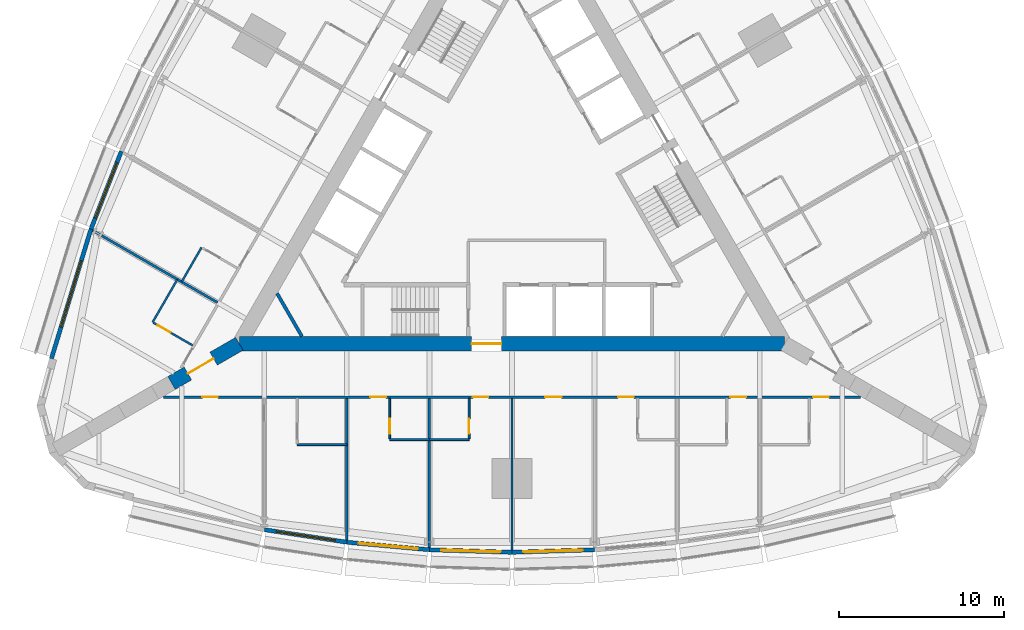
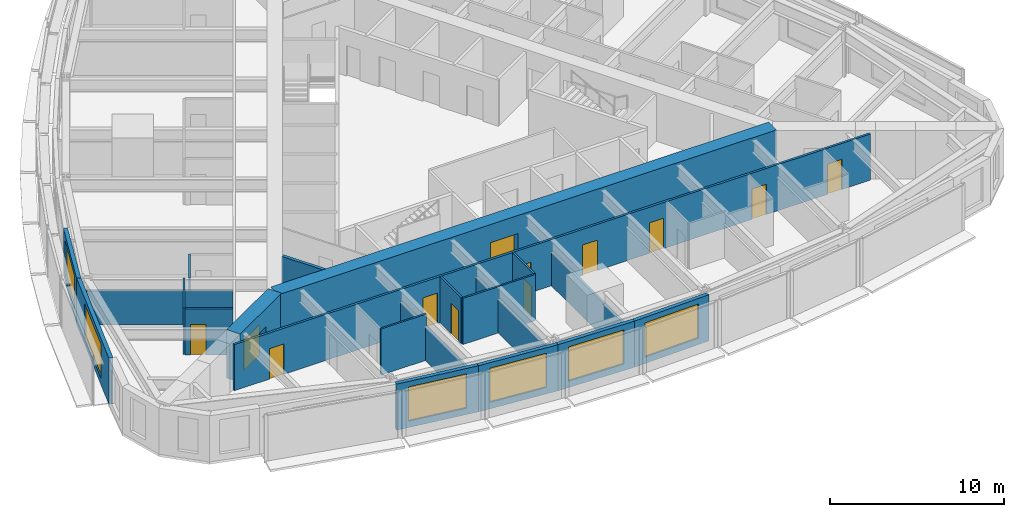
# One storey, part 8 of 14: 22 walls, 12 doors, 6 windows, 18 openings.
"""IFC4 building model written with IfcOpenShell, lengths in metres."""

import ifcopenshell
import ifcopenshell.guid

model = None  # the IFC model being written
_history = None  # IfcOwnerHistory: only IFC2X3 demands one
_inside = {}  # id of a spatial element -> (the spatial element, [elements in it])
_under = {}  # id of a project, library or spatial element -> (it, [spatial elements below it])
_declared = {}  # id of a project -> (the project, [libraries it declares])
_typed = {}  # id of a type object -> (the type object, [elements of that type])
_made_of = {}  # id of a material, layer set ... -> (it, [elements and type objects made of it])


def new_model(schema):
    """Start an empty IFC model of exactly this schema.

    Asked for "IFC4X3", IfcOpenShell would pick the latest addendum, in which some entities
    have other attributes; the version numbers below select the first issue.
    IFC2X3 requires an IfcOwnerHistory on every rooted entity: one is made here for all.
    """
    global model, _history
    if schema == "IFC4X3":
        model = ifcopenshell.file(schema_version=(4, 3, 0, 0))
    else:
        model = ifcopenshell.file(schema=schema)
    _inside.clear()
    _under.clear()
    _declared.clear()
    _typed.clear()
    _made_of.clear()
    _history = None
    if model.schema == "IFC2X3":
        org = make("IfcOrganization", Name="unknown")
        user = make(
            "IfcPersonAndOrganization",
            ThePerson=make("IfcPerson", FamilyName="unknown"),
            TheOrganization=org,
        )
        app = make(
            "IfcApplication",
            ApplicationDeveloper=org,
            Version="unknown",
            ApplicationFullName="unknown",
            ApplicationIdentifier="unknown",
        )
        _history = make(
            "IfcOwnerHistory",
            OwningUser=user,
            OwningApplication=app,
            ChangeAction="ADDED",
            CreationDate=0,
        )
    return model


def make(cls, **values):
    """One entity of the class cls with the attributes given. An attribute that is None is left unset."""
    return model.create_entity(
        cls, **{name: value for name, value in values.items() if value is not None}
    )


def rooted(cls, **values):
    """An entity with a GlobalId (a new one), such as an element, a storey or a relation."""
    return make(cls, GlobalId=ifcopenshell.guid.new(), OwnerHistory=_history, **values)


def si_unit(unit_type, name, prefix=None):
    """IfcSIUnit, for example si_unit("LENGTHUNIT", "METRE", prefix="MILLI")."""
    return make("IfcSIUnit", UnitType=unit_type, Prefix=prefix, Name=name)


def assignment(units):
    """IfcUnitAssignment: the units of a project."""
    return None if units is None else make("IfcUnitAssignment", Units=units)


def point(xyz):
    """IfcCartesianPoint."""
    return None if xyz is None else make("IfcCartesianPoint", Coordinates=xyz)


def direction(xyz):
    """IfcDirection."""
    return None if xyz is None else make("IfcDirection", DirectionRatios=xyz)


def frame(location, z_axis=None, x_axis=None):
    """IfcAxis2Placement3D, a coordinate frame: its origin and axes. An axis left out is left unset."""
    return make(
        "IfcAxis2Placement3D",
        Location=point(location),
        Axis=direction(z_axis),
        RefDirection=direction(x_axis),
    )


def frame_2d(location, x_axis=None):
    """IfcAxis2Placement2D, a coordinate frame in the plane: its origin and x axis."""
    return make(
        "IfcAxis2Placement2D", Location=point(location), RefDirection=direction(x_axis)
    )


def origin():
    """The frame at (0, 0, 0) with its axes left unset."""
    return frame((0.0, 0.0, 0.0))


def place(relative_to, where):
    """IfcLocalPlacement: puts the frame where relative to a parent placement (None: the world)."""
    return make(
        "IfcLocalPlacement", PlacementRelTo=relative_to, RelativePlacement=where
    )


def context(
    kind, dimensions, precision=None, world=None, true_north=None, identifier=None
):
    """IfcGeometricRepresentationContext, for example the 3D "Model" context."""
    return make(
        "IfcGeometricRepresentationContext",
        ContextIdentifier=identifier,
        ContextType=kind,
        CoordinateSpaceDimension=dimensions,
        Precision=precision,
        WorldCoordinateSystem=world,
        TrueNorth=true_north,
    )


def subcontext(parent, identifier, kind, view, scale=None):
    """IfcGeometricRepresentationSubContext, for example "Body" below "Model"."""
    return make(
        "IfcGeometricRepresentationSubContext",
        ContextIdentifier=identifier,
        ContextType=kind,
        ParentContext=parent,
        TargetScale=scale,
        TargetView=view,
    )


def project(units=None, contexts=None):
    """IfcProject with its units and contexts."""
    return rooted(
        "IfcProject",
        Name="project",
        RepresentationContexts=contexts,
        UnitsInContext=assignment(units),
    )


def spatial(cls, under=None, at=None, **own):
    """A site, building, storey or space (cls), placed at a placement, below another one or the project."""
    s = rooted(cls, ObjectPlacement=at, **own)
    if under is not None:
        _under.setdefault(under.id(), (under, []))[1].append(s)
    return s


def profile(cls, at=None, kind="AREA", **sizes):
    """A parametric profile (cls). Its sizes go by their IFC names, for example OverallWidth=200.0."""
    return make(cls, ProfileType=kind, Position=at, **sizes)


def rectangle(**sizes):
    """IfcRectangleProfileDef."""
    return profile("IfcRectangleProfileDef", **sizes)


def extrude(swept, where, along, depth):
    """IfcExtrudedAreaSolid: the profile swept, set in the frame where, extruded along a direction by depth."""
    return make(
        "IfcExtrudedAreaSolid",
        SweptArea=swept,
        Position=where,
        ExtrudedDirection=direction(along),
        Depth=depth,
    )


def shape(context_of_items, identifier, shape_type, items):
    """IfcShapeRepresentation: the items that make up one representation, for example the "Body"."""
    return make(
        "IfcShapeRepresentation",
        ContextOfItems=context_of_items,
        RepresentationIdentifier=identifier,
        RepresentationType=shape_type,
        Items=items,
    )


def material(Name=None, Category=None):
    """IfcMaterial."""
    return make("IfcMaterial", Name=Name, Category=Category)


def layer(
    of_material, thickness, ventilated=None, Name=None, Category=None, Priority=None
):
    """IfcMaterialLayer: one layer of a wall or slab, of a material (None: an air gap)."""
    return make(
        "IfcMaterialLayer",
        Material=of_material,
        LayerThickness=thickness,
        IsVentilated=ventilated,
        Name=Name,
        Category=Category,
        Priority=Priority,
    )


def layer_set(layers, Name=None):
    """IfcMaterialLayerSet."""
    return make("IfcMaterialLayerSet", MaterialLayers=layers, LayerSetName=Name)


def made_of(thing, what):
    """Note that an element or type object is made of a material, layer set ...; save() writes the relation."""
    if what is not None:
        _made_of.setdefault(what.id(), (what, []))[1].append(thing)
    return thing


def type_object(cls, material=None, **own):
    """A type object (cls), such as IfcWallType, which elements share."""
    return made_of(rooted(cls, **own), material)


def element(
    cls,
    number,
    at=None,
    inside=None,
    cuts=None,
    type_object=None,
    material=None,
    context=None,
    identifier="Body",
    shape_type=None,
    held_by="IfcProductDefinitionShape",
    body=None,
    shapes=None,
    **own,
):
    """One element of the class cls, such as IfcWall. Its Tag is "e" and its number.

    at: its placement. inside: the storey or other place that contains it. cuts: it is an
    opening in that element (IfcRelVoidsElement). A single representation is given by context,
    identifier, shape_type and body (its items); several are given by shapes. held_by: the class
    of the entity that holds the representations. save() writes the other relations.
    """
    e = rooted(cls, Tag="e%d" % number, ObjectPlacement=at, **own)
    if body is not None:
        shapes = [shape(context, identifier, shape_type, body)]
    if shapes is not None:
        e.Representation = make(held_by, Representations=shapes)
    if inside is not None:
        _inside.setdefault(inside.id(), (inside, []))[1].append(e)
    if cuts is not None:
        rooted(
            "IfcRelVoidsElement", RelatingBuildingElement=cuts, RelatedOpeningElement=e
        )
    if type_object is not None:
        _typed.setdefault(type_object.id(), (type_object, []))[1].append(e)
    return made_of(e, material)


def fill(opening, filler):
    """IfcRelFillsElement: the door or window that sits in an opening."""
    return rooted(
        "IfcRelFillsElement",
        RelatingOpeningElement=opening,
        RelatedBuildingElement=filler,
    )


def aggregate(whole, parts):
    """IfcRelAggregates: a whole, such as a stair, and the parts it consists of."""
    return rooted("IfcRelAggregates", RelatingObject=whole, RelatedObjects=parts)


def save(model, path):
    """Write the relations noted so far, then the file.

    IfcRelAggregates (storeys below a building ...), IfcRelContainedInSpatialStructure (elements
    in a storey), IfcRelDefinesByType, IfcRelAssociatesMaterial and IfcRelDeclares: one each for
    every whole, place, type object, material and project.
    """
    for whole, parts in _under.values():
        aggregate(whole, parts)
    for where, things in _inside.values():
        rooted(
            "IfcRelContainedInSpatialStructure",
            RelatedElements=things,
            RelatingStructure=where,
        )
    for kind, things in _typed.values():
        rooted("IfcRelDefinesByType", RelatedObjects=things, RelatingType=kind)
    for what, things in _made_of.values():
        rooted("IfcRelAssociatesMaterial", RelatedObjects=things, RelatingMaterial=what)
    for by, libraries in _declared.values():
        rooted("IfcRelDeclares", RelatingContext=by, RelatedDefinitions=libraries)
    model.write(path)


model = new_model("IFC4")

# Units and contexts
model_context = context("Model", 3, precision=1e-05, world=origin(), true_north=direction((0.0, 1.0)))
body_context = subcontext(model_context, "Body", "Model", "MODEL_VIEW")
ifc_project = project(units=[si_unit("LENGTHUNIT", "METRE"), si_unit("AREAUNIT", "SQUARE_METRE"), si_unit("VOLUMEUNIT", "CUBIC_METRE"), si_unit("PLANEANGLEUNIT", "RADIAN"), si_unit("MASSUNIT", "GRAM", prefix="KILO")], contexts=[model_context])

# Site, building, storey
site_placement = place(None, origin())
site = spatial("IfcSite", under=ifc_project, at=site_placement, CompositionType="ELEMENT")
building_placement = place(site_placement, origin())
building = spatial("IfcBuilding", under=site, at=building_placement, Name="Trikona Tower", CompositionType="ELEMENT")
storey_placement = place(building_placement, frame((0.0, 0.0, 35.300048828125)))
storey = spatial("IfcBuildingStorey", under=building, at=storey_placement, Name="L07", CompositionType="ELEMENT", Elevation=35.300048828125)

# Walls
ifc_material_1 = material(Name="Metal stud and cement board", Category="gypsum")
ifc_layer_1 = layer(ifc_material_1, 0.1201171875)
ifc_layer_set_1 = layer_set([ifc_layer_1], Name="Bathroom wall 120")
wall_type_1 = type_object("IfcWallType", Name="Bathroom wall 120", PredefinedType="PLUMBINGWALL", material=ifc_layer_set_1)
wall_1_placement = place(storey_placement, frame((-13.0, -15.626220703125, 0.0), z_axis=(0.0, 0.0, 1.0), x_axis=(1.0, 0.0, 0.0)))
element("IfcWall", 1, at=wall_1_placement, inside=storey, type_object=wall_type_1, Name="Bathroom wall 0701.1", PredefinedType="PLUMBINGWALL", context=body_context, shape_type="SweptSolid", body=[
    extrude(rectangle(XDim=3.0, YDim=0.1201171875, at=frame_2d((1.5, 0.0))), origin(), (0.0, 0.0, 1.0), 3.23486328125),
])
wall_2_placement = place(storey_placement, frame((-7.39990234375, -15.326416015625, 0.0), z_axis=(0.0, 0.0, 1.0), x_axis=(1.0, 0.0, 0.0)))
element("IfcWall", 2, at=wall_2_placement, inside=storey, type_object=wall_type_1, Name="Bathroom wall 0702", PredefinedType="PLUMBINGWALL", context=body_context, shape_type="SweptSolid", body=[
    extrude(rectangle(XDim=2.39990234375, YDim=0.1201171875, at=frame_2d((1.199951171875, 0.0))), origin(), (0.0, 0.0, 1.0), 3.23486328125),
])

# Wall, opening, door
wall_3_placement = place(storey_placement, frame((-7.39990234375, -12.826416015625, 0.0), z_axis=(0.0, 0.0, 1.0), x_axis=(0.0, -1.0, 0.0)))
wall_3 = element("IfcWall", 3, at=wall_3_placement, inside=storey, type_object=wall_type_1, Name="Bathroom wall 0702", PredefinedType="PLUMBINGWALL", context=body_context, shape_type="SweptSolid", body=[
    extrude(rectangle(XDim=2.43994140625, YDim=0.1201171875, at=frame_2d((1.219970703125, 0.0))), origin(), (0.0, 0.0, 1.0), 3.23486328125),
])
opening_1_placement = place(wall_3_placement, frame((1.25, 0.0, 0.0)))
opening_1 = element("IfcOpeningElement", 4, at=opening_1_placement, cuts=wall_3, Name="Opening D2", PredefinedType="OPENING", context=body_context, shape_type="SweptSolid", body=[
    extrude(rectangle(XDim=0.89990234375, YDim=2.1298828125, at=frame_2d((0.449951171875, 1.06494140625))), frame((0.0, 0.070068359375, 0.0), z_axis=(0.0, -1.0, 0.0), x_axis=(1.0, 0.0, 0.0)), (0.0, 0.0, 1.0), 0.14013671875),
])
ifc_material_2 = material(Name="Steel door frame with solid-core timber leaf", Category="steel")
door_type_1 = type_object("IfcDoorType", Name="Bathroom door 900x2130", OperationType="SLIDING_TO_LEFT", PredefinedType="DOOR", material=ifc_material_2)
door_1_placement = place(opening_1_placement, origin())
door_1 = element("IfcDoor", 5, at=door_1_placement, inside=storey, type_object=door_type_1, Name="Bathroom door 0702", OperationType="SLIDING_TO_LEFT", OverallHeight=2.1298828125, OverallWidth=0.89990234375, PredefinedType="DOOR", context=body_context, shape_type="SweptSolid", body=[
    extrude(rectangle(XDim=0.89990234375, YDim=2.1298828125, at=frame_2d((0.449951171875, 1.06494140625))), frame((0.0, 0.02490234375, 0.0), z_axis=(0.0, -1.0, 0.0), x_axis=(1.0, 0.0, 0.0)), (0.0, 0.0, 1.0), 0.050048828125),
])
fill(opening_1, door_1)

# Wall
wall_4_placement = place(storey_placement, frame((-5.0, -15.326416015625, 0.0), z_axis=(0.0, 0.0, 1.0), x_axis=(1.0, 0.0, 0.0)))
element("IfcWall", 6, at=wall_4_placement, inside=storey, type_object=wall_type_1, Name="Bathroom wall 0703", PredefinedType="PLUMBINGWALL", context=body_context, shape_type="SweptSolid", body=[
    extrude(rectangle(XDim=2.39990234375, YDim=0.1201171875, at=frame_2d((1.199951171875, 0.0))), origin(), (0.0, 0.0, 1.0), 3.23486328125),
])

# Wall, opening, door
wall_5_placement = place(storey_placement, frame((-2.60009765625, -12.826416015625, 0.0), z_axis=(0.0, 0.0, 1.0), x_axis=(0.0, -1.0, 0.0)))
wall_5 = element("IfcWall", 7, at=wall_5_placement, inside=storey, type_object=wall_type_1, Name="Bathroom wall 0703", PredefinedType="PLUMBINGWALL", context=body_context, shape_type="SweptSolid", body=[
    extrude(rectangle(XDim=2.43994140625, YDim=0.1201171875, at=frame_2d((1.219970703125, 0.0))), origin(), (0.0, 0.0, 1.0), 3.23486328125),
])
opening_2_placement = place(wall_5_placement, frame((1.25, 0.0, 0.0)))
opening_2 = element("IfcOpeningElement", 8, at=opening_2_placement, cuts=wall_5, Name="Opening D2", PredefinedType="OPENING", context=body_context, shape_type="SweptSolid", body=[
    extrude(rectangle(XDim=0.89990234375, YDim=2.1298828125, at=frame_2d((0.449951171875, 1.06494140625))), frame((0.0, 0.070068359375, 0.0), z_axis=(0.0, -1.0, 0.0), x_axis=(1.0, 0.0, 0.0)), (0.0, 0.0, 1.0), 0.14013671875),
])
door_2_placement = place(opening_2_placement, origin())
door_2 = element("IfcDoor", 9, at=door_2_placement, inside=storey, type_object=door_type_1, Name="Bathroom door 0703", OperationType="SLIDING_TO_LEFT", OverallHeight=2.1298828125, OverallWidth=0.89990234375, PredefinedType="DOOR", context=body_context, shape_type="SweptSolid", body=[
    extrude(rectangle(XDim=0.89990234375, YDim=2.1298828125, at=frame_2d((0.449951171875, 1.06494140625))), frame((0.0, 0.02490234375, 0.0), z_axis=(0.0, -1.0, 0.0), x_axis=(1.0, 0.0, 0.0)), (0.0, 0.0, 1.0), 0.050048828125),
])
fill(opening_2, door_2)

# Walls
wall_6_placement = place(storey_placement, frame((-18.79345703125, -3.69873046875, 0.0), z_axis=(0.0, 0.0, 1.0), x_axis=(-0.500001309137, -0.866024647952, 0.0)))
element("IfcWall", 10, at=wall_6_placement, inside=storey, type_object=wall_type_1, Name="Bathroom wall 0717", PredefinedType="PLUMBINGWALL", context=body_context, shape_type="SweptSolid", body=[
    extrude(rectangle(XDim=2.39990234375, YDim=0.1201171875, at=frame_2d((1.199951171875, 0.0))), origin(), (0.0, 0.0, 1.0), 3.23486328125),
])
wall_7_placement = place(storey_placement, frame((-20.25341796875, -5.627197265625, 0.0), z_axis=(0.0, 0.0, 1.0), x_axis=(-0.499990139034, -0.866031096941, 0.0)))
element("IfcWall", 11, at=wall_7_placement, inside=storey, type_object=wall_type_1, Name="Bathroom wall 0718", PredefinedType="PLUMBINGWALL", context=body_context, shape_type="SweptSolid", body=[
    extrude(rectangle(XDim=3.0, YDim=0.1201171875, at=frame_2d((1.5, 0.0))), origin(), (0.0, 0.0, 1.0), 3.23486328125),
])

# Wall, opening, door
wall_8_placement = place(storey_placement, frame((-19.32861328125, -9.625244140625, 0.0), z_axis=(0.0, 0.0, 1.0), x_axis=(-0.866035715982, 0.499982138324, 0.0)))
wall_8 = element("IfcWall", 12, at=wall_8_placement, inside=storey, type_object=wall_type_1, Name="Bathroom wall 0718", PredefinedType="PLUMBINGWALL", context=body_context, shape_type="SweptSolid", body=[
    extrude(rectangle(XDim=2.73974609375, YDim=0.1201171875, at=frame_2d((1.369873046875, 0.0))), origin(), (0.0, 0.0, 1.0), 3.23486328125),
])
opening_3_placement = place(wall_8_placement, frame((1.550048828125, 0.0, 0.0)))
opening_3 = element("IfcOpeningElement", 13, at=opening_3_placement, cuts=wall_8, Name="Opening D2", PredefinedType="OPENING", context=body_context, shape_type="SweptSolid", body=[
    extrude(rectangle(XDim=0.89990234375, YDim=2.1298828125, at=frame_2d((0.449951171875, 1.06494140625))), frame((0.0, 0.070068359375, 0.0), z_axis=(0.0, -1.0, 0.0), x_axis=(1.0, 0.0, 0.0)), (0.0, 0.0, 1.0), 0.14013671875),
])
door_3_placement = place(opening_3_placement, origin())
door_3 = element("IfcDoor", 14, at=door_3_placement, inside=storey, type_object=door_type_1, Name="Bathroom door 0718", OperationType="SLIDING_TO_LEFT", OverallHeight=2.1298828125, OverallWidth=0.89990234375, PredefinedType="DOOR", context=body_context, shape_type="SweptSolid", body=[
    extrude(rectangle(XDim=0.89990234375, YDim=2.1298828125, at=frame_2d((0.449951171875, 1.06494140625))), frame((0.0, 0.02490234375, 0.0), z_axis=(0.0, -1.0, 0.0), x_axis=(1.0, 0.0, 0.0)), (0.0, 0.0, 1.0), 0.050048828125),
])
fill(opening_3, door_3)

ifc_material_3 = material(Name="Concrete f'c 10000 psi", Category="concrete")
ifc_layer_2 = layer(ifc_material_3, 0.89990234375)
ifc_layer_set_2 = layer_set([ifc_layer_2], Name="Buttress wall 900")
wall_type_2 = type_object("IfcWallType", Name="Buttress wall 900", PredefinedType="SHEAR", material=ifc_layer_set_2)
wall_9_placement = place(storey_placement, frame((-16.5, -9.5263671875, 0.0), z_axis=(0.0, 0.0, 1.0), x_axis=(-0.866031398331, -0.499989616998, 0.0)))
wall_9 = element("IfcWall", 15, at=wall_9_placement, inside=storey, type_object=wall_type_2, Name="Buttress wall 3", PredefinedType="SHEAR", context=body_context, shape_type="SweptSolid", body=[
    extrude(rectangle(XDim=4.74609375, YDim=0.89990234375, at=frame_2d((2.373046875, 0.0))), origin(), (0.0, 0.0, 1.0), 3.39990234375),
])
opening_4_placement = place(wall_9_placement, frame((1.800048828125, 0.0, 0.0)))
opening_4 = element("IfcOpeningElement", 16, at=opening_4_placement, cuts=wall_9, Name="Opening D10", PredefinedType="OPENING", context=body_context, shape_type="SweptSolid", body=[
    extrude(rectangle(XDim=1.800048828125, YDim=2.1298828125, at=frame_2d((0.89990234375, 1.06494140625))), frame((0.0, 0.4599609375, 0.0), z_axis=(0.0, -1.0, 0.0), x_axis=(1.0, 0.0, 0.0)), (0.0, 0.0, 1.0), 0.919921875),
])
ifc_material_4 = material(Name="Hollow metal door and frame", Category="steel")
door_type_2 = type_object("IfcDoorType", Name="Cross-corridor door pair 1800x2130", OperationType="DOUBLE_DOOR_DOUBLE_SWING", PredefinedType="DOOR", material=ifc_material_4)
door_4_placement = place(opening_4_placement, origin())
door_4 = element("IfcDoor", 17, at=door_4_placement, inside=storey, type_object=door_type_2, Name="Cross-corridor door 3", OperationType="DOUBLE_DOOR_DOUBLE_SWING", OverallHeight=2.1298828125, OverallWidth=1.800048828125, PredefinedType="DOOR", context=body_context, shape_type="SweptSolid", body=[
    extrude(rectangle(XDim=1.800048828125, YDim=2.1298828125, at=frame_2d((0.89990234375, 1.06494140625))), frame((0.0, 0.02490234375, 0.0), z_axis=(0.0, -1.0, 0.0), x_axis=(1.0, 0.0, 0.0)), (0.0, 0.0, 1.0), 0.050048828125),
])
fill(opening_4, door_4)

ifc_material_5 = material(Name="Concrete f'c 10000 psi", Category="concrete")
ifc_layer_3 = layer(ifc_material_5, 0.89990234375)
ifc_layer_set_3 = layer_set([ifc_layer_3], Name="Core wall 900")
wall_type_3 = type_object("IfcWallType", Name="Core wall 900", PredefinedType="SHEAR", material=ifc_layer_set_3)
wall_10_placement = place(storey_placement, frame((-16.5, -9.5263671875, 0.0), z_axis=(0.0, 0.0, 1.0), x_axis=(1.0, 0.0, 0.0)))
wall_10 = element("IfcWall", 18, at=wall_10_placement, inside=storey, type_object=wall_type_3, Name="Core wall A", PredefinedType="SHEAR", context=body_context, shape_type="SweptSolid", body=[
    extrude(rectangle(XDim=33.0, YDim=0.89990234375, at=frame_2d((16.5, 0.0))), origin(), (0.0, 0.0, 1.0), 3.39990234375),
])
opening_5_placement = place(wall_10_placement, frame((14.050048828125, 0.0, 0.0)))
opening_5 = element("IfcOpeningElement", 19, at=opening_5_placement, cuts=wall_10, Name="Opening D6", PredefinedType="OPENING", context=body_context, shape_type="SweptSolid", body=[
    extrude(rectangle(XDim=1.800048828125, YDim=2.1298828125, at=frame_2d((0.89990234375, 1.06494140625))), frame((0.0, 0.4599609375, 0.0), z_axis=(0.0, -1.0, 0.0), x_axis=(1.0, 0.0, 0.0)), (0.0, 0.0, 1.0), 0.919921875),
])
ifc_material_6 = material(Name="Hollow metal door and frame", Category="steel")
door_type_3 = type_object("IfcDoorType", Name="Lobby door pair 1800x2130", OperationType="DOUBLE_DOOR_SINGLE_SWING", PredefinedType="DOOR", material=ifc_material_6)
door_5_placement = place(opening_5_placement, origin())
door_5 = element("IfcDoor", 20, at=door_5_placement, inside=storey, type_object=door_type_3, Name="Fire service lift lobby door", OperationType="DOUBLE_DOOR_SINGLE_SWING", OverallHeight=2.1298828125, OverallWidth=1.800048828125, PredefinedType="DOOR", context=body_context, shape_type="SweptSolid", body=[
    extrude(rectangle(XDim=1.800048828125, YDim=2.1298828125, at=frame_2d((0.89990234375, 1.06494140625))), frame((0.0, 0.02490234375, 0.0), z_axis=(0.0, -1.0, 0.0), x_axis=(1.0, 0.0, 0.0)), (0.0, 0.0, 1.0), 0.050048828125),
])
fill(opening_5, door_5)

# Wall, openings, doors
ifc_material_7 = material(Name="Metal stud and gypsum board, 1-hour", Category="gypsum")
ifc_layer_4 = layer(ifc_material_7, 0.14990234375)
ifc_layer_set_4 = layer_set([ifc_layer_4], Name="Corridor wall 150")
wall_type_4 = type_object("IfcWallType", Name="Corridor wall 150", PredefinedType="PARTITIONING", material=ifc_layer_set_4)
wall_11_placement = place(storey_placement, frame((-21.0859375, -12.751220703125, 0.0), z_axis=(0.0, 0.0, 1.0), x_axis=(1.0, 0.0, 0.0)))
wall_11 = element("IfcWall", 21, at=wall_11_placement, inside=storey, type_object=wall_type_4, Name="Corridor wall L07-1", PredefinedType="PARTITIONING", context=body_context, shape_type="SweptSolid", body=[
    extrude(rectangle(XDim=42.171875, YDim=0.14990234375, at=frame_2d((21.0859375, 0.0))), origin(), (0.0, 0.0, 1.0), 3.23486328125),
])
opening_6_placement = place(wall_11_placement, frame((2.337646484375, 0.0, 0.0)))
opening_6 = element("IfcOpeningElement", 22, at=opening_6_placement, cuts=wall_11, Name="Opening D1", PredefinedType="OPENING", context=body_context, shape_type="SweptSolid", body=[
    extrude(rectangle(XDim=0.949951171875, YDim=2.1298828125, at=frame_2d((0.47509765625, 1.06494140625))), frame((0.0, 0.0849609375, 0.0), z_axis=(0.0, -1.0, 0.0), x_axis=(1.0, 0.0, 0.0)), (0.0, 0.0, 1.0), 0.169921875),
])
opening_7_placement = place(wall_11_placement, frame((12.510986328125, 0.0, 0.0)))
opening_7 = element("IfcOpeningElement", 23, at=opening_7_placement, cuts=wall_11, Name="Opening D1", PredefinedType="OPENING", context=body_context, shape_type="SweptSolid", body=[
    extrude(rectangle(XDim=0.949951171875, YDim=2.1298828125, at=frame_2d((0.47509765625, 1.06494140625))), frame((0.0, 0.0849609375, 0.0), z_axis=(0.0, -1.0, 0.0), x_axis=(1.0, 0.0, 0.0)), (0.0, 0.0, 1.0), 0.169921875),
])
opening_8_placement = place(wall_11_placement, frame((18.7109375, 0.0, 0.0)))
opening_8 = element("IfcOpeningElement", 24, at=opening_8_placement, cuts=wall_11, Name="Opening D1", PredefinedType="OPENING", context=body_context, shape_type="SweptSolid", body=[
    extrude(rectangle(XDim=0.949951171875, YDim=2.1298828125, at=frame_2d((0.47509765625, 1.06494140625))), frame((0.0, 0.0849609375, 0.0), z_axis=(0.0, -1.0, 0.0), x_axis=(1.0, 0.0, 0.0)), (0.0, 0.0, 1.0), 0.169921875),
])
opening_9_placement = place(wall_11_placement, frame((23.0859375, 0.0, 0.0)))
opening_9 = element("IfcOpeningElement", 25, at=opening_9_placement, cuts=wall_11, Name="Opening D3", PredefinedType="OPENING", context=body_context, shape_type="SweptSolid", body=[
    extrude(rectangle(XDim=1.0, YDim=2.1298828125, at=frame_2d((0.5, 1.06494140625))), frame((0.0, 0.0849609375, 0.0), z_axis=(0.0, -1.0, 0.0), x_axis=(1.0, 0.0, 0.0)), (0.0, 0.0, 1.0), 0.169921875),
])
opening_10_placement = place(wall_11_placement, frame((27.510986328125, 0.0, 0.0)))
opening_10 = element("IfcOpeningElement", 26, at=opening_10_placement, cuts=wall_11, Name="Opening D1", PredefinedType="OPENING", context=body_context, shape_type="SweptSolid", body=[
    extrude(rectangle(XDim=0.949951171875, YDim=2.1298828125, at=frame_2d((0.47509765625, 1.06494140625))), frame((0.0, 0.0849609375, 0.0), z_axis=(0.0, -1.0, 0.0), x_axis=(1.0, 0.0, 0.0)), (0.0, 0.0, 1.0), 0.169921875),
])
opening_11_placement = place(wall_11_placement, frame((34.310791015625, 0.0, 0.0)))
opening_11 = element("IfcOpeningElement", 27, at=opening_11_placement, cuts=wall_11, Name="Opening D1", PredefinedType="OPENING", context=body_context, shape_type="SweptSolid", body=[
    extrude(rectangle(XDim=0.949951171875, YDim=2.1298828125, at=frame_2d((0.47509765625, 1.06494140625))), frame((0.0, 0.0849609375, 0.0), z_axis=(0.0, -1.0, 0.0), x_axis=(1.0, 0.0, 0.0)), (0.0, 0.0, 1.0), 0.169921875),
])
opening_12_placement = place(wall_11_placement, frame((39.310791015625, 0.0, 0.0)))
opening_12 = element("IfcOpeningElement", 28, at=opening_12_placement, cuts=wall_11, Name="Opening D1", PredefinedType="OPENING", context=body_context, shape_type="SweptSolid", body=[
    extrude(rectangle(XDim=0.949951171875, YDim=2.1298828125, at=frame_2d((0.47509765625, 1.06494140625))), frame((0.0, 0.0849609375, 0.0), z_axis=(0.0, -1.0, 0.0), x_axis=(1.0, 0.0, 0.0)), (0.0, 0.0, 1.0), 0.169921875),
])
ifc_material_8 = material(Name="Steel door frame with solid-core timber leaf", Category="steel")
door_type_4 = type_object("IfcDoorType", Name="Guest room door 950x2130", OperationType="SINGLE_SWING_LEFT", PredefinedType="DOOR", material=ifc_material_8)
door_6_placement = place(opening_6_placement, origin())
door_6 = element("IfcDoor", 29, at=door_6_placement, inside=storey, type_object=door_type_4, Name="Room door 0701", OperationType="SINGLE_SWING_LEFT", OverallHeight=2.1298828125, OverallWidth=0.949951171875, PredefinedType="DOOR", context=body_context, shape_type="SweptSolid", body=[
    extrude(rectangle(XDim=0.949951171875, YDim=2.1298828125, at=frame_2d((0.47509765625, 1.06494140625))), frame((0.0, 0.02490234375, 0.0), z_axis=(0.0, -1.0, 0.0), x_axis=(1.0, 0.0, 0.0)), (0.0, 0.0, 1.0), 0.050048828125),
])
fill(opening_6, door_6)
door_7_placement = place(opening_7_placement, origin())
door_7 = element("IfcDoor", 30, at=door_7_placement, inside=storey, type_object=door_type_4, Name="Room door 0702", OperationType="SINGLE_SWING_RIGHT", OverallHeight=2.1298828125, OverallWidth=0.949951171875, PredefinedType="DOOR", context=body_context, shape_type="SweptSolid", body=[
    extrude(rectangle(XDim=0.949951171875, YDim=2.1298828125, at=frame_2d((0.47509765625, 1.06494140625))), frame((0.0, 0.02490234375, 0.0), z_axis=(0.0, -1.0, 0.0), x_axis=(1.0, 0.0, 0.0)), (0.0, 0.0, 1.0), 0.050048828125),
])
fill(opening_7, door_7)
door_8_placement = place(opening_8_placement, origin())
door_8 = element("IfcDoor", 31, at=door_8_placement, inside=storey, type_object=door_type_4, Name="Room door 0703", OperationType="SINGLE_SWING_LEFT", OverallHeight=2.1298828125, OverallWidth=0.949951171875, PredefinedType="DOOR", context=body_context, shape_type="SweptSolid", body=[
    extrude(rectangle(XDim=0.949951171875, YDim=2.1298828125, at=frame_2d((0.47509765625, 1.06494140625))), frame((0.0, 0.02490234375, 0.0), z_axis=(0.0, -1.0, 0.0), x_axis=(1.0, 0.0, 0.0)), (0.0, 0.0, 1.0), 0.050048828125),
])
fill(opening_8, door_8)
door_9_placement = place(opening_10_placement, origin())
door_9 = element("IfcDoor", 32, at=door_9_placement, inside=storey, type_object=door_type_4, Name="Room door 0704", OperationType="SINGLE_SWING_LEFT", OverallHeight=2.1298828125, OverallWidth=0.949951171875, PredefinedType="DOOR", context=body_context, shape_type="SweptSolid", body=[
    extrude(rectangle(XDim=0.949951171875, YDim=2.1298828125, at=frame_2d((0.47509765625, 1.06494140625))), frame((0.0, 0.02490234375, 0.0), z_axis=(0.0, -1.0, 0.0), x_axis=(1.0, 0.0, 0.0)), (0.0, 0.0, 1.0), 0.050048828125),
])
fill(opening_10, door_9)
door_10_placement = place(opening_11_placement, origin())
door_10 = element("IfcDoor", 33, at=door_10_placement, inside=storey, type_object=door_type_4, Name="Room door 0705", OperationType="SINGLE_SWING_RIGHT", OverallHeight=2.1298828125, OverallWidth=0.949951171875, PredefinedType="DOOR", context=body_context, shape_type="SweptSolid", body=[
    extrude(rectangle(XDim=0.949951171875, YDim=2.1298828125, at=frame_2d((0.47509765625, 1.06494140625))), frame((0.0, 0.02490234375, 0.0), z_axis=(0.0, -1.0, 0.0), x_axis=(1.0, 0.0, 0.0)), (0.0, 0.0, 1.0), 0.050048828125),
])
fill(opening_11, door_10)
door_11_placement = place(opening_12_placement, origin())
door_11 = element("IfcDoor", 34, at=door_11_placement, inside=storey, type_object=door_type_4, Name="Room door 0706", OperationType="SINGLE_SWING_RIGHT", OverallHeight=2.1298828125, OverallWidth=0.949951171875, PredefinedType="DOOR", context=body_context, shape_type="SweptSolid", body=[
    extrude(rectangle(XDim=0.949951171875, YDim=2.1298828125, at=frame_2d((0.47509765625, 1.06494140625))), frame((0.0, 0.02490234375, 0.0), z_axis=(0.0, -1.0, 0.0), x_axis=(1.0, 0.0, 0.0)), (0.0, 0.0, 1.0), 0.050048828125),
])
fill(opening_12, door_11)
ifc_material_9 = material(Name="Steel door frame with solid-core timber leaf", Category="steel")
door_type_5 = type_object("IfcDoorType", Name="Room door 1000x2130", OperationType="SINGLE_SWING_LEFT", PredefinedType="DOOR", material=ifc_material_9)
door_12_placement = place(opening_9_placement, origin())
door_12 = element("IfcDoor", 35, at=door_12_placement, inside=storey, type_object=door_type_5, Name="Door Housekeeping pantry", OperationType="SINGLE_SWING_RIGHT", OverallHeight=2.1298828125, OverallWidth=1.0, PredefinedType="DOOR", context=body_context, shape_type="SweptSolid", body=[
    extrude(rectangle(XDim=1.0, YDim=2.1298828125, at=frame_2d((0.5, 1.06494140625))), frame((0.0, 0.02490234375, 0.0), z_axis=(0.0, -1.0, 0.0), x_axis=(1.0, 0.0, 0.0)), (0.0, 0.0, 1.0), 0.050048828125),
])
fill(opening_9, door_12)

# Wall, opening, window
ifc_material_10 = material(Name="Insulated precast concrete spandrel panel", Category="concrete")
ifc_layer_5 = layer(ifc_material_10, 0.25)
ifc_layer_set_5 = layer_set([ifc_layer_5], Name="Inner skin wall 250")
wall_type_5 = type_object("IfcWallType", Name="Inner skin wall 250", PredefinedType="STANDARD", material=ifc_layer_set_5)
wall_12_placement = place(storey_placement, frame((-14.981201171875, -20.779296875, 0.0), z_axis=(0.0, 0.0, 1.0), x_axis=(0.988615403399, -0.150464561152, 0.0)))
wall_12 = element("IfcWall", 36, at=wall_12_placement, inside=storey, type_object=wall_type_5, Name="External wall L07-01", PredefinedType="STANDARD", context=body_context, shape_type="SweptSolid", body=[
    extrude(rectangle(XDim=5.0576171875, YDim=0.25, at=frame_2d((2.52880859375, 0.0))), origin(), (0.0, 0.0, 1.0), 3.23486328125),
])
opening_13_placement = place(wall_12_placement, frame((0.728759765625, 0.0, 0.449951171875)))
opening_13 = element("IfcOpeningElement", 37, at=opening_13_placement, cuts=wall_12, Name="Opening W3624", PredefinedType="OPENING", context=body_context, shape_type="SweptSolid", body=[
    extrude(rectangle(XDim=3.60009765625, YDim=2.39990234375, at=frame_2d((1.800048828125, 1.199951171875))), frame((0.0, 0.135009765625, 0.0), z_axis=(0.0, -1.0, 0.0), x_axis=(1.0, 0.0, 0.0)), (0.0, 0.0, 1.0), 0.27001953125),
])
ifc_material_11 = material(Name="Aluminium-framed double glazing", Category="aluminium")
window_type_1 = type_object("IfcWindowType", Name="Window 3600x2400", PartitioningType="SINGLE_PANEL", PredefinedType="WINDOW", material=ifc_material_11)
window_1_placement = place(opening_13_placement, origin())
window_1 = element("IfcWindow", 38, at=window_1_placement, inside=storey, type_object=window_type_1, Name="Window 0701.1", OverallHeight=2.39990234375, OverallWidth=3.60009765625, PartitioningType="SINGLE_PANEL", PredefinedType="WINDOW", context=body_context, shape_type="SweptSolid", body=[
    extrude(rectangle(XDim=3.60009765625, YDim=2.39990234375, at=frame_2d((1.800048828125, 1.199951171875))), frame((0.0, 0.030029296875, 0.0), z_axis=(0.0, -1.0, 0.0), x_axis=(1.0, 0.0, 0.0)), (0.0, 0.0, 1.0), 0.06005859375),
])
fill(opening_13, window_1)

wall_13_placement = place(storey_placement, frame((-9.988525390625, -21.539306640625, 0.0), z_axis=(0.0, 0.0, 1.0), x_axis=(0.995857256774, -0.090930325692, 0.0)))
wall_13 = element("IfcWall", 39, at=wall_13_placement, inside=storey, type_object=wall_type_5, Name="External wall L07-02", PredefinedType="STANDARD", context=body_context, shape_type="SweptSolid", body=[
    extrude(rectangle(XDim=5.020751953125, YDim=0.25, at=frame_2d((2.51025390625, 0.0))), origin(), (0.0, 0.0, 1.0), 3.23486328125),
])
opening_14_placement = place(wall_13_placement, frame((0.71044921875, 0.0, 0.449951171875)))
opening_14 = element("IfcOpeningElement", 40, at=opening_14_placement, cuts=wall_13, Name="Opening W3624", PredefinedType="OPENING", context=body_context, shape_type="SweptSolid", body=[
    extrude(rectangle(XDim=3.60009765625, YDim=2.39990234375, at=frame_2d((1.800048828125, 1.199951171875))), frame((0.0, 0.135009765625, 0.0), z_axis=(0.0, -1.0, 0.0), x_axis=(1.0, 0.0, 0.0)), (0.0, 0.0, 1.0), 0.27001953125),
])
window_2_placement = place(opening_14_placement, origin())
window_2 = element("IfcWindow", 41, at=window_2_placement, inside=storey, type_object=window_type_1, Name="Window 0702", OverallHeight=2.39990234375, OverallWidth=3.60009765625, PartitioningType="SINGLE_PANEL", PredefinedType="WINDOW", context=body_context, shape_type="SweptSolid", body=[
    extrude(rectangle(XDim=3.60009765625, YDim=2.39990234375, at=frame_2d((1.800048828125, 1.199951171875))), frame((0.0, 0.030029296875, 0.0), z_axis=(0.0, -1.0, 0.0), x_axis=(1.0, 0.0, 0.0)), (0.0, 0.0, 1.0), 0.06005859375),
])
fill(opening_14, window_2)

wall_14_placement = place(storey_placement, frame((-4.99609375, -21.99560546875, 0.0), z_axis=(0.0, 0.0, 1.0), x_axis=(0.999537635046, -0.030405856769, 0.0)))
wall_14 = element("IfcWall", 42, at=wall_14_placement, inside=storey, type_object=wall_type_5, Name="External wall L07-03", PredefinedType="STANDARD", context=body_context, shape_type="SweptSolid", body=[
    extrude(rectangle(XDim=5.002197265625, YDim=0.25, at=frame_2d((2.5009765625, 0.0))), origin(), (0.0, 0.0, 1.0), 3.23486328125),
])
opening_15_placement = place(wall_14_placement, frame((0.701171875, 0.0, 0.449951171875)))
opening_15 = element("IfcOpeningElement", 43, at=opening_15_placement, cuts=wall_14, Name="Opening W3624", PredefinedType="OPENING", context=body_context, shape_type="SweptSolid", body=[
    extrude(rectangle(XDim=3.60009765625, YDim=2.39990234375, at=frame_2d((1.800048828125, 1.199951171875))), frame((0.0, 0.135009765625, 0.0), z_axis=(0.0, -1.0, 0.0), x_axis=(1.0, 0.0, 0.0)), (0.0, 0.0, 1.0), 0.27001953125),
])
window_3_placement = place(opening_15_placement, origin())
window_3 = element("IfcWindow", 44, at=window_3_placement, inside=storey, type_object=window_type_1, Name="Window 0703", OverallHeight=2.39990234375, OverallWidth=3.60009765625, PartitioningType="SINGLE_PANEL", PredefinedType="WINDOW", context=body_context, shape_type="SweptSolid", body=[
    extrude(rectangle(XDim=3.60009765625, YDim=2.39990234375, at=frame_2d((1.800048828125, 1.199951171875))), frame((0.0, 0.030029296875, 0.0), z_axis=(0.0, -1.0, 0.0), x_axis=(1.0, 0.0, 0.0)), (0.0, 0.0, 1.0), 0.06005859375),
])
fill(opening_15, window_3)

wall_15_placement = place(storey_placement, frame((-0.00390625, -22.147705078125, 0.0), z_axis=(0.0, 0.0, 1.0), x_axis=(0.999537635046, 0.030405856769, 0.0)))
wall_15 = element("IfcWall", 45, at=wall_15_placement, inside=storey, type_object=wall_type_5, Name="External wall L07-04", PredefinedType="STANDARD", context=body_context, shape_type="SweptSolid", body=[
    extrude(rectangle(XDim=5.002197265625, YDim=0.25, at=frame_2d((2.5009765625, 0.0))), origin(), (0.0, 0.0, 1.0), 3.23486328125),
])
opening_16_placement = place(wall_15_placement, frame((0.701171875, 0.0, 0.449951171875)))
opening_16 = element("IfcOpeningElement", 46, at=opening_16_placement, cuts=wall_15, Name="Opening W3624", PredefinedType="OPENING", context=body_context, shape_type="SweptSolid", body=[
    extrude(rectangle(XDim=3.60009765625, YDim=2.39990234375, at=frame_2d((1.800048828125, 1.199951171875))), frame((0.0, 0.135009765625, 0.0), z_axis=(0.0, -1.0, 0.0), x_axis=(1.0, 0.0, 0.0)), (0.0, 0.0, 1.0), 0.27001953125),
])
window_4_placement = place(opening_16_placement, origin())
window_4 = element("IfcWindow", 47, at=window_4_placement, inside=storey, type_object=window_type_1, Name="Window L07-HKP", OverallHeight=2.39990234375, OverallWidth=3.60009765625, PartitioningType="SINGLE_PANEL", PredefinedType="WINDOW", context=body_context, shape_type="SweptSolid", body=[
    extrude(rectangle(XDim=3.60009765625, YDim=2.39990234375, at=frame_2d((1.800048828125, 1.199951171875))), frame((0.0, 0.030029296875, 0.0), z_axis=(0.0, -1.0, 0.0), x_axis=(1.0, 0.0, 0.0)), (0.0, 0.0, 1.0), 0.06005859375),
])
fill(opening_16, window_4)

wall_16_placement = place(storey_placement, frame((-23.64501953125, 2.126220703125, 0.0), z_axis=(0.0, 0.0, 1.0), x_axis=(-0.364013463868, -0.931393685894, 0.0)))
wall_16 = element("IfcWall", 48, at=wall_16_placement, inside=storey, type_object=wall_type_5, Name="External wall L07-30", PredefinedType="STANDARD", context=body_context, shape_type="SweptSolid", body=[
    extrude(rectangle(XDim=5.0576171875, YDim=0.25, at=frame_2d((2.52880859375, 0.0))), origin(), (0.0, 0.0, 1.0), 3.23486328125),
])
opening_17_placement = place(wall_16_placement, frame((0.728759765625, 0.0, 0.449951171875)))
opening_17 = element("IfcOpeningElement", 49, at=opening_17_placement, cuts=wall_16, Name="Opening W3624", PredefinedType="OPENING", context=body_context, shape_type="SweptSolid", body=[
    extrude(rectangle(XDim=3.60009765625, YDim=2.39990234375, at=frame_2d((1.800048828125, 1.199951171875))), frame((0.0, 0.135009765625, 0.0), z_axis=(0.0, -1.0, 0.0), x_axis=(1.0, 0.0, 0.0)), (0.0, 0.0, 1.0), 0.27001953125),
])
window_5_placement = place(opening_17_placement, origin())
window_5 = element("IfcWindow", 50, at=window_5_placement, inside=storey, type_object=window_type_1, Name="Window 0717", OverallHeight=2.39990234375, OverallWidth=3.60009765625, PartitioningType="SINGLE_PANEL", PredefinedType="WINDOW", context=body_context, shape_type="SweptSolid", body=[
    extrude(rectangle(XDim=3.60009765625, YDim=2.39990234375, at=frame_2d((1.800048828125, 1.199951171875))), frame((0.0, 0.030029296875, 0.0), z_axis=(0.0, -1.0, 0.0), x_axis=(1.0, 0.0, 0.0)), (0.0, 0.0, 1.0), 0.06005859375),
])
fill(opening_17, window_5)

wall_17_placement = place(storey_placement, frame((-25.48291015625, -2.575439453125, 0.0), z_axis=(0.0, 0.0, 1.0), x_axis=(-0.2919790669, -0.956424709265, 0.0)))
wall_17 = element("IfcWall", 51, at=wall_17_placement, inside=storey, type_object=wall_type_5, Name="External wall L07-31", PredefinedType="STANDARD", context=body_context, shape_type="SweptSolid", body=[
    extrude(rectangle(XDim=8.211181640625, YDim=0.25, at=frame_2d((4.10546875, 0.0))), origin(), (0.0, 0.0, 1.0), 3.23486328125),
])
opening_18_placement = place(wall_17_placement, frame((2.005615234375, 0.0, 0.449951171875)))
opening_18 = element("IfcOpeningElement", 52, at=opening_18_placement, cuts=wall_17, Name="Opening W4224", PredefinedType="OPENING", context=body_context, shape_type="SweptSolid", body=[
    extrude(rectangle(XDim=4.199951171875, YDim=2.39990234375, at=frame_2d((2.10009765625, 1.199951171875))), frame((0.0, 0.135009765625, 0.0), z_axis=(0.0, -1.0, 0.0), x_axis=(1.0, 0.0, 0.0)), (0.0, 0.0, 1.0), 0.27001953125),
])
ifc_material_12 = material(Name="Aluminium-framed double glazing", Category="aluminium")
window_type_2 = type_object("IfcWindowType", Name="Window 4200x2400", PartitioningType="SINGLE_PANEL", PredefinedType="WINDOW", material=ifc_material_12)
window_6_placement = place(opening_18_placement, origin())
window_6 = element("IfcWindow", 53, at=window_6_placement, inside=storey, type_object=window_type_2, Name="Window 0718", OverallHeight=2.39990234375, OverallWidth=4.199951171875, PartitioningType="SINGLE_PANEL", PredefinedType="WINDOW", context=body_context, shape_type="SweptSolid", body=[
    extrude(rectangle(XDim=4.199951171875, YDim=2.39990234375, at=frame_2d((2.10009765625, 1.199951171875))), frame((0.0, 0.030029296875, 0.0), z_axis=(0.0, -1.0, 0.0), x_axis=(1.0, 0.0, 0.0)), (0.0, 0.0, 1.0), 0.06005859375),
])
fill(opening_18, window_6)

# Walls
ifc_material_13 = material(Name="Metal stud and gypsum board, 1-hour acoustic", Category="gypsum")
ifc_layer_6 = layer(ifc_material_13, 0.14990234375)
ifc_layer_set_6 = layer_set([ifc_layer_6], Name="Party wall 150")
wall_type_6 = type_object("IfcWallType", Name="Party wall 150", PredefinedType="PARTITIONING", material=ifc_layer_set_6)
wall_18_placement = place(storey_placement, frame((-10.0, -12.826416015625, 0.0), z_axis=(0.0, 0.0, 1.0), x_axis=(0.0, -1.0, 0.0)))
element("IfcWall", 54, at=wall_18_placement, inside=storey, type_object=wall_type_6, Name="Partition L07 F1 u-10", PredefinedType="PARTITIONING", context=body_context, shape_type="SweptSolid", body=[
    extrude(rectangle(XDim=8.58447265625, YDim=0.14990234375, at=frame_2d((4.292236328125, 0.0))), origin(), (0.0, 0.0, 1.0), 2.38916015625),
])
wall_19_placement = place(storey_placement, frame((-5.0, -12.826416015625, 0.0), z_axis=(0.0, 0.0, 1.0), x_axis=(0.0, -1.0, 0.0)))
element("IfcWall", 55, at=wall_19_placement, inside=storey, type_object=wall_type_6, Name="Partition L07 F1 u-5", PredefinedType="PARTITIONING", context=body_context, shape_type="SweptSolid", body=[
    extrude(rectangle(XDim=9.04296875, YDim=0.14990234375, at=frame_2d((4.521484375, 0.0))), origin(), (0.0, 0.0, 1.0), 2.38916015625),
])
wall_20_placement = place(storey_placement, frame((0.0, -12.826416015625, 0.0), z_axis=(0.0, 0.0, 1.0), x_axis=(0.0, -1.0, 0.0)))
element("IfcWall", 56, at=wall_20_placement, inside=storey, type_object=wall_type_6, Name="Partition L07 F1 u-1.03538e-30", PredefinedType="PARTITIONING", context=body_context, shape_type="SweptSolid", body=[
    extrude(rectangle(XDim=9.196044921875, YDim=0.14990234375, at=frame_2d((4.59814453125, 0.0))), origin(), (0.0, 0.0, 1.0), 2.38916015625),
])
wall_21_placement = place(storey_placement, frame((-17.82861328125, -7.027099609375, 0.0), z_axis=(0.0, 0.0, 1.0), x_axis=(-0.866032659912, 0.499987431809, 0.0)))
element("IfcWall", 57, at=wall_21_placement, inside=storey, type_object=wall_type_6, Name="Partition L07 F3 u15", PredefinedType="PARTITIONING", context=body_context, shape_type="SweptSolid", body=[
    extrude(rectangle(XDim=8.719970703125, YDim=0.14990234375, at=frame_2d((4.35986328125, 0.0))), origin(), (0.0, 0.0, 1.0), 2.38916015625),
])
ifc_material_14 = material(Name="Concrete f'c 8000 psi", Category="concrete")
ifc_layer_7 = layer(ifc_material_14, 0.199951171875)
ifc_layer_set_7 = layer_set([ifc_layer_7], Name="Shaft wall 200")
wall_type_7 = type_object("IfcWallType", Name="Shaft wall 200", PredefinedType="SOLIDWALL", material=ifc_layer_set_7)
wall_22_placement = place(storey_placement, frame((-12.718505859375, -9.076416015625, 0.0), z_axis=(0.0, 0.0, 1.0), x_axis=(-0.499952404951, 0.866052881055, 0.0)))
element("IfcWall", 58, at=wall_22_placement, inside=storey, type_object=wall_type_7, Name="Riser wall L07-RS3", PredefinedType="SOLIDWALL", context=body_context, shape_type="SweptSolid", body=[
    extrude(rectangle(XDim=3.002197265625, YDim=0.199951171875, at=frame_2d((1.5009765625, 0.0))), origin(), (0.0, 0.0, 1.0), 3.23486328125),
])

save(model, "model.ifc")
